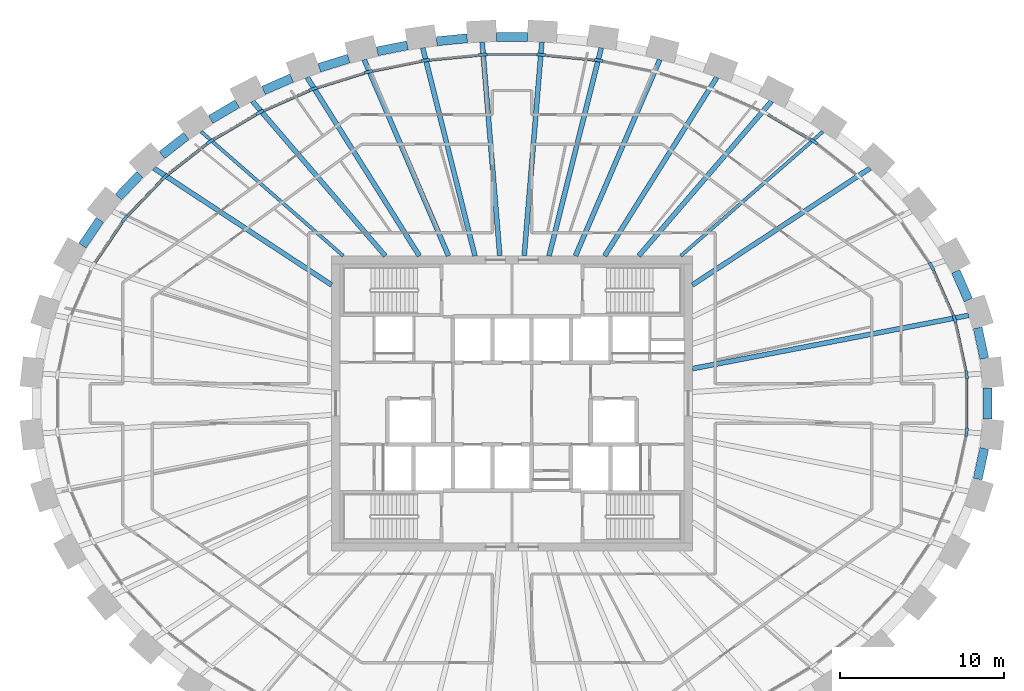
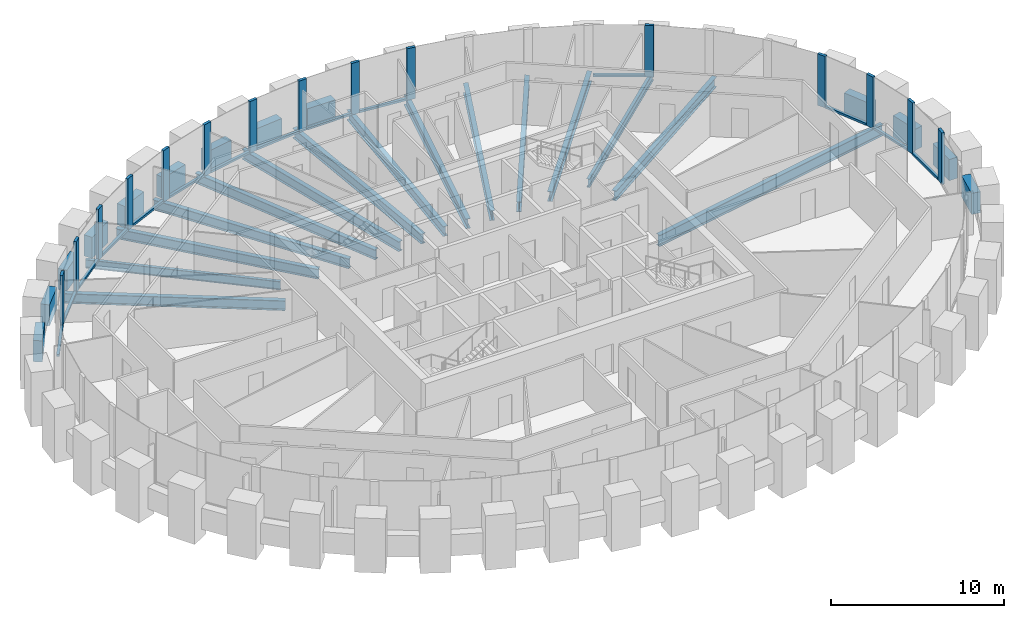
# One storey, part 3 of 11: 29 members, 28 beams, 1 element without a shape of its own.
"""IFC4 building model written with IfcOpenShell, lengths in metres."""

from ifc_helpers import new_model, si_unit, direction, frame, origin, origin_2d, place, context, subcontext, project, spatial, rectangle, i_section, extrude, source, transform, mapped, material, material_profile, profile_set, type_object, element, aggregate, save


model = new_model("IFC4")

# Units and contexts
model_context = context("Model", 3, precision=1e-05, world=origin(), true_north=direction((0.0, 1.0)))
body_context = subcontext(model_context, "Body", "Model", "MODEL_VIEW")
ifc_project = project(units=[si_unit("LENGTHUNIT", "METRE"), si_unit("AREAUNIT", "SQUARE_METRE"), si_unit("VOLUMEUNIT", "CUBIC_METRE"), si_unit("PLANEANGLEUNIT", "RADIAN"), si_unit("MASSUNIT", "GRAM", prefix="KILO")], contexts=[model_context])

# Site, building, storey
site_placement = place(None, origin())
site = spatial("IfcSite", under=ifc_project, at=site_placement, CompositionType="ELEMENT")
building_placement = place(site_placement, origin())
building = spatial("IfcBuilding", under=site, at=building_placement, Name="Embergate Tower", CompositionType="ELEMENT")
storey_placement = place(building_placement, frame((0.0, 0.0, 328.60009765625)))
storey = spatial("IfcBuildingStorey", under=building, at=storey_placement, Name="L77", CompositionType="ELEMENT", Elevation=328.60009765625)

# Beams
ifc_material_1 = material(Name="Concrete C50", Category="concrete")
ifc_material_profile_1 = material_profile(ifc_material_1, rectangle(XDim=0.550048828125, YDim=1.5, at=origin_2d()), Name="RC 550x1500")
ifc_profile_set_1 = profile_set([ifc_material_profile_1], Name="Concrete C50")
beam_type_1 = type_object("IfcBeamType", Name="Spandrel beam RC 550x1500 C50", PredefinedType="BEAM", material=ifc_profile_set_1)
shared_shape_1 = source(origin(), body_context, "Body", "SweptSolid", [
    extrude(rectangle(XDim=0.550048828125, YDim=1.5, at=origin_2d()), origin(), (0.0, 0.0, 1.0), 1.904541015625),
])
for number, where, z_axis, x_axis, name in (
    (1, (28.801025390625, 2.742919921875, 0.0), (-0.210098077345, 0.977680314774, 0.0), (-0.977680314774, -0.210098077345, 0.0), "SPN-L77-00"),
    (2, (28.40087890625, -4.60498046875, 0.0), (0.210098077345, 0.977680314774, 0.0), (-0.977680314774, 0.210098077345, 0.0), "SPN-L77-42"),
):
    element("IfcBeam", number, at=place(storey_placement, frame(where, z_axis=z_axis, x_axis=x_axis)), inside=storey, type_object=beam_type_1, Name=name, PredefinedType="BEAM", context=body_context, shape_type="MappedRepresentation", body=[
        mapped(shared_shape_1, transform((0.0, 0.0, 0.0))),
    ])
shared_shape_2 = source(origin(), body_context, "Body", "SweptSolid", [
    extrude(rectangle(XDim=0.550048828125, YDim=1.5, at=origin_2d()), origin(), (0.0, 0.0, 1.0), 1.897705078125),
])
beam_1_placement = place(storey_placement, frame((27.827880859375, 6.31103515625, 0.0), z_axis=(-0.401513845594, 0.915852953151, 0.0), x_axis=(-0.915852953151, -0.401513845594, 0.0)))
element("IfcBeam", 3, at=beam_1_placement, inside=storey, type_object=beam_type_1, Name="SPN-L77-01", PredefinedType="BEAM", context=body_context, shape_type="MappedRepresentation", body=[
    mapped(shared_shape_2, transform((0.0, 0.0, 0.0))),
])
shared_shape_3 = source(origin(), body_context, "Body", "SweptSolid", [
    extrude(rectangle(XDim=0.550048828125, YDim=1.5, at=origin_2d()), origin(), (0.0, 0.0, 1.0), 1.893798828125),
])
beam_2_placement = place(storey_placement, frame((-25.12890625, 11.18994140625, 0.0), z_axis=(-0.562440477268, -0.826837777034, 0.0), x_axis=(0.826837777034, -0.562440477268, 0.0)))
element("IfcBeam", 4, at=beam_2_placement, inside=storey, type_object=beam_type_1, Name="SPN-L77-18", PredefinedType="BEAM", context=body_context, shape_type="MappedRepresentation", body=[
    mapped(shared_shape_3, transform((0.0, 0.0, 0.0))),
])
shared_shape_4 = source(origin(), body_context, "Body", "SweptSolid", [
    extrude(rectangle(XDim=0.550048828125, YDim=1.5, at=origin_2d()), origin(), (0.0, 0.0, 1.0), 1.8876953125),
])
beam_3_placement = place(storey_placement, frame((-22.695068359375, 13.9560546875, 0.0), z_axis=(-0.69022655599, -0.723593325982, 0.0), x_axis=(0.723593325982, -0.69022655599, 0.0)))
element("IfcBeam", 5, at=beam_3_placement, inside=storey, type_object=beam_type_1, Name="SPN-L77-17", PredefinedType="BEAM", context=body_context, shape_type="MappedRepresentation", body=[
    mapped(shared_shape_4, transform((0.0, 0.0, 0.0))),
])
shared_shape_5 = source(origin(), body_context, "Body", "SweptSolid", [
    extrude(rectangle(XDim=0.550048828125, YDim=1.5, at=origin_2d()), origin(), (0.0, 0.0, 1.0), 1.88232421875),
])
beam_4_placement = place(storey_placement, frame((-19.864013671875, 16.30810546875, 0.0), z_axis=(-0.788303508782, -0.615286582043, 0.0), x_axis=(0.615286582043, -0.788303508782, 0.0)))
element("IfcBeam", 6, at=beam_4_placement, inside=storey, type_object=beam_type_1, Name="SPN-L77-16", PredefinedType="BEAM", context=body_context, shape_type="MappedRepresentation", body=[
    mapped(shared_shape_5, transform((0.0, 0.0, 0.0))),
])
shared_shape_6 = source(origin(), body_context, "Body", "SweptSolid", [
    extrude(rectangle(XDim=0.550048828125, YDim=1.5, at=origin_2d()), origin(), (0.0, 0.0, 1.0), 1.87939453125),
])
beam_5_placement = place(storey_placement, frame((-16.756103515625, 18.27294921875, 0.0), z_axis=(-0.861930875636, -0.507025803708, 0.0), x_axis=(0.507025803708, -0.861930875636, 0.0)))
element("IfcBeam", 7, at=beam_5_placement, inside=storey, type_object=beam_type_1, Name="SPN-L77-15", PredefinedType="BEAM", context=body_context, shape_type="MappedRepresentation", body=[
    mapped(shared_shape_6, transform((0.0, 0.0, 0.0))),
])
shared_shape_7 = source(origin(), body_context, "Body", "SweptSolid", [
    extrude(rectangle(XDim=0.550048828125, YDim=1.5, at=origin_2d()), origin(), (0.0, 0.0, 1.0), 1.876708984375),
])
beam_6_placement = place(storey_placement, frame((-13.43310546875, 19.842041015625, 0.0), z_axis=(-0.916452657221, -0.400143133231, 0.0), x_axis=(0.400143133231, -0.916452657221, 0.0)))
element("IfcBeam", 8, at=beam_6_placement, inside=storey, type_object=beam_type_1, Name="SPN-L77-14", PredefinedType="BEAM", context=body_context, shape_type="MappedRepresentation", body=[
    mapped(shared_shape_7, transform((0.0, 0.0, 0.0))),
])
shared_shape_8 = source(origin(), body_context, "Body", "SweptSolid", [
    extrude(rectangle(XDim=0.550048828125, YDim=1.5, at=origin_2d()), origin(), (0.0, 0.0, 1.0), 1.873779296875),
])
for number, where, z_axis, x_axis, name in (
    (9, (-6.376953125, 21.842041015625, 0.0), (-0.980404898084, -0.196992984173, 0.0), (0.196992984173, -0.980404898084, 0.0), "SPN-L77-12"),
    (10, (-9.9580078125, 21.028076171875, 0.0), (-0.954776255033, -0.297325247542, 0.0), (0.297325247542, -0.954776255033, 0.0), "SPN-L77-13"),
):
    element("IfcBeam", number, at=place(storey_placement, frame(where, z_axis=z_axis, x_axis=x_axis)), inside=storey, type_object=beam_type_1, Name=name, PredefinedType="BEAM", context=body_context, shape_type="MappedRepresentation", body=[
        mapped(shared_shape_8, transform((0.0, 0.0, 0.0))),
    ])
shared_shape_9 = source(origin(), body_context, "Body", "SweptSolid", [
    extrude(rectangle(XDim=0.550048828125, YDim=1.5, at=origin_2d()), origin(), (0.0, 0.0, 1.0), 1.87109375),
])
beam_7_placement = place(storey_placement, frame((-2.73193359375, 22.27099609375, 0.0), z_axis=(-0.995148946648, -0.098379743775, 0.0), x_axis=(0.098379743775, -0.995148946648, 0.0)))
element("IfcBeam", 11, at=beam_7_placement, inside=storey, type_object=beam_type_1, Name="SPN-L77-11", PredefinedType="BEAM", context=body_context, shape_type="MappedRepresentation", body=[
    mapped(shared_shape_9, transform((0.0, 0.0, 0.0))),
])
shared_shape_10 = source(origin(), body_context, "Body", "SweptSolid", [
    extrude(rectangle(XDim=0.550048828125, YDim=1.5, at=origin_2d()), origin(), (0.0, 0.0, 1.0), 1.8701171875),
])
beam_8_placement = place(storey_placement, frame((0.93505859375, 22.35888671875, 0.0), z_axis=(-1.0, 0.0, 0.0), x_axis=(0.0, -1.0, 0.0)))
element("IfcBeam", 12, at=beam_8_placement, inside=storey, type_object=beam_type_1, Name="SPN-L77-10", PredefinedType="BEAM", context=body_context, shape_type="MappedRepresentation", body=[
    mapped(shared_shape_10, transform((0.0, 0.0, 0.0))),
])
shared_shape_11 = source(origin(), body_context, "Body", "SweptSolid", [
    extrude(rectangle(XDim=0.550048828125, YDim=1.5, at=origin_2d()), origin(), (0.0, 0.0, 1.0), 1.90576171875),
])
beam_9_placement = place(storey_placement, frame((28.991943359375, -0.952880859375, 0.0), z_axis=(0.0, 1.0, 0.0), x_axis=(-1.0, 0.0, 0.0)))
element("IfcBeam", 13, at=beam_9_placement, inside=storey, type_object=beam_type_1, Name="SPN-L77-43", PredefinedType="BEAM", context=body_context, shape_type="MappedRepresentation", body=[
    mapped(shared_shape_11, transform((0.0, 0.0, 0.0))),
])
ifc_material_2 = material(Name="Steel Q355B", Category="steel")
ifc_material_profile_2 = material_profile(ifc_material_2, i_section(OverallWidth=0.300048828125, OverallDepth=0.800048828125, WebThickness=0.013916015625, FlangeThickness=0.02587890625, FilletRadius=0.028076171875, at=origin_2d()), Name="HN 800x300x14x26")
ifc_profile_set_2 = profile_set([ifc_material_profile_2], Name="Steel Q355 grade B")
beam_type_2 = type_object("IfcBeamType", Name="Radial girder HN 800x300x14x26", PredefinedType="BEAM", material=ifc_profile_set_2)
shared_shape_12 = source(origin(), body_context, "Body", "SweptSolid", [
    extrude(i_section(OverallWidth=0.300048828125, OverallDepth=0.800048828125, WebThickness=0.013916015625, FlangeThickness=0.02587890625, FilletRadius=0.028076171875, at=origin_2d()), origin(), (0.0, 0.0, 1.0), 17.162841796875),
])
beam_10_placement = place(storey_placement, frame((27.85205078125, 5.373046875, -0.60009765625), z_axis=(-0.981896091736, -0.189420339547, 0.0), x_axis=(0.189420339547, -0.981896091736, 0.0)))
element("IfcBeam", 14, at=beam_10_placement, inside=storey, type_object=beam_type_2, Name="GIR-L77-01", PredefinedType="BEAM", context=body_context, shape_type="MappedRepresentation", body=[
    mapped(shared_shape_12, transform((0.0, 0.0, 0.0))),
])
ifc_material_profile_3 = material_profile(ifc_material_2, i_section(OverallWidth=0.300048828125, OverallDepth=0.699951171875, WebThickness=0.012939453125, FlangeThickness=0.02392578125, FilletRadius=0.01806640625, at=origin_2d()), Name="HN 700x300x13x24")
ifc_profile_set_3 = profile_set([ifc_material_profile_3], Name="Steel Q355 grade B")
beam_type_3 = type_object("IfcBeamType", Name="Radial girder HN 700x300x13x24", PredefinedType="BEAM", material=ifc_profile_set_3)
shared_shape_13 = source(origin(), body_context, "Body", "SweptSolid", [
    extrude(i_section(OverallWidth=0.300048828125, OverallDepth=0.699951171875, WebThickness=0.012939453125, FlangeThickness=0.02392578125, FilletRadius=0.01806640625, at=origin_2d()), origin(), (0.0, 0.0, 1.0), 12.963134765625),
])
for number, where, z_axis, x_axis, name in (
    (15, (21.833984375, 14.344970703125, -0.550048828125), (-0.835760548257, -0.549094077529, 0.0), (0.549094077529, -0.835760548257, 0.0), "GIR-L77-04"),
    (16, (-21.833984375, 14.344970703125, -0.550048828125), (0.835760548257, -0.549094077529, 0.0), (0.549094077529, 0.835760548257, 0.0), "GIR-L77-17"),
):
    element("IfcBeam", number, at=place(storey_placement, frame(where, z_axis=z_axis, x_axis=x_axis)), inside=storey, type_object=beam_type_3, Name=name, PredefinedType="BEAM", context=body_context, shape_type="MappedRepresentation", body=[
        mapped(shared_shape_13, transform((0.0, 0.0, 0.0))),
    ])
ifc_material_profile_4 = material_profile(ifc_material_2, i_section(OverallWidth=0.199951171875, OverallDepth=0.60009765625, WebThickness=0.010986328125, FlangeThickness=0.01708984375, FilletRadius=0.012939453125, at=origin_2d()), Name="HN 600x200x11x17")
ifc_profile_set_4 = profile_set([ifc_material_profile_4], Name="Steel Q355 grade B")
beam_type_4 = type_object("IfcBeamType", Name="Radial girder HN 600x200x11x17", PredefinedType="BEAM", material=ifc_profile_set_4)
shared_shape_14 = source(origin(), body_context, "Body", "SweptSolid", [
    extrude(i_section(OverallWidth=0.199951171875, OverallDepth=0.60009765625, WebThickness=0.010986328125, FlangeThickness=0.01708984375, FilletRadius=0.012939453125, at=origin_2d()), origin(), (0.0, 0.0, 1.0), 11.52197265625),
])
for number, where, z_axis, x_axis, name in (
    (17, (18.965087890625, 16.5849609375, -0.5), (-0.752748620868, -0.658308069054, 0.0), (0.658308069054, -0.752748620868, 0.0), "GIR-L77-05"),
    (18, (-18.965087890625, 16.5849609375, -0.5), (0.752748620868, -0.658308069054, 0.0), (0.658308069054, 0.752748620868, 0.0), "GIR-L77-16"),
):
    element("IfcBeam", number, at=place(storey_placement, frame(where, z_axis=z_axis, x_axis=x_axis)), inside=storey, type_object=beam_type_4, Name=name, PredefinedType="BEAM", context=body_context, shape_type="MappedRepresentation", body=[
        mapped(shared_shape_14, transform((0.0, 0.0, 0.0))),
    ])
shared_shape_15 = source(origin(), body_context, "Body", "SweptSolid", [
    extrude(i_section(OverallWidth=0.300048828125, OverallDepth=0.699951171875, WebThickness=0.012939453125, FlangeThickness=0.02392578125, FilletRadius=0.01806640625, at=origin_2d()), origin(), (0.0, 0.0, 1.0), 12.43115234375),
])
for number, where, z_axis, x_axis, name in (
    (19, (15.826904296875, 18.430908203125, -0.550048828125), (-0.651497878896, -0.758650455608, 0.0), (0.758650455608, -0.651497878896, 0.0), "GIR-L77-06"),
    (20, (-15.826904296875, 18.430908203125, -0.550048828125), (0.651497878896, -0.758650455608, 0.0), (0.758650455608, 0.651497878896, 0.0), "GIR-L77-15"),
):
    element("IfcBeam", number, at=place(storey_placement, frame(where, z_axis=z_axis, x_axis=x_axis)), inside=storey, type_object=beam_type_3, Name=name, PredefinedType="BEAM", context=body_context, shape_type="MappedRepresentation", body=[
        mapped(shared_shape_15, transform((0.0, 0.0, 0.0))),
    ])
shared_shape_16 = source(origin(), body_context, "Body", "SweptSolid", [
    extrude(i_section(OverallWidth=0.300048828125, OverallDepth=0.699951171875, WebThickness=0.012939453125, FlangeThickness=0.02392578125, FilletRadius=0.01806640625, at=origin_2d()), origin(), (0.0, 0.0, 1.0), 12.8583984375),
])
for number, where, z_axis, x_axis, name in (
    (21, (12.490966796875, 19.888916015625, -0.550048828125), (-0.531859653709, -0.846832515174, 0.0), (0.846832515174, -0.531859653709, 0.0), "GIR-L77-07"),
    (22, (-12.490966796875, 19.888916015625, -0.550048828125), (0.531859653709, -0.846832515174, 0.0), (0.846832515174, 0.531859653709, 0.0), "GIR-L77-14"),
):
    element("IfcBeam", number, at=place(storey_placement, frame(where, z_axis=z_axis, x_axis=x_axis)), inside=storey, type_object=beam_type_3, Name=name, PredefinedType="BEAM", context=body_context, shape_type="MappedRepresentation", body=[
        mapped(shared_shape_16, transform((0.0, 0.0, 0.0))),
    ])
shared_shape_17 = source(origin(), body_context, "Body", "SweptSolid", [
    extrude(i_section(OverallWidth=0.300048828125, OverallDepth=0.699951171875, WebThickness=0.012939453125, FlangeThickness=0.02392578125, FilletRadius=0.01806640625, at=origin_2d()), origin(), (0.0, 0.0, 1.0), 13.0302734375),
])
for number, where, z_axis, x_axis, name in (
    (23, (9.014892578125, 20.970947265625, -0.550048828125), (-0.394929867162, -0.918711271305, 0.0), (0.918711271305, -0.394929867162, 0.0), "GIR-L77-08"),
    (24, (-9.014892578125, 20.970947265625, -0.550048828125), (0.394929867162, -0.918711271305, 0.0), (0.918711271305, 0.394929867162, 0.0), "GIR-L77-13"),
):
    element("IfcBeam", number, at=place(storey_placement, frame(where, z_axis=z_axis, x_axis=x_axis)), inside=storey, type_object=beam_type_3, Name=name, PredefinedType="BEAM", context=body_context, shape_type="MappedRepresentation", body=[
        mapped(shared_shape_17, transform((0.0, 0.0, 0.0))),
    ])
shared_shape_18 = source(origin(), body_context, "Body", "SweptSolid", [
    extrude(i_section(OverallWidth=0.300048828125, OverallDepth=0.699951171875, WebThickness=0.012939453125, FlangeThickness=0.02392578125, FilletRadius=0.01806640625, at=origin_2d()), origin(), (0.0, 0.0, 1.0), 13.080810546875),
])
for number, where, z_axis, x_axis, name in (
    (25, (5.444091796875, 21.68701171875, -0.550048828125), (-0.243492869498, -0.969902687131, 0.0), (0.969902687131, -0.243492869498, 0.0), "GIR-L77-09"),
    (26, (-5.444091796875, 21.68701171875, -0.550048828125), (0.243492869498, -0.969902687131, 0.0), (0.969902687131, 0.243492869498, 0.0), "GIR-L77-12"),
):
    element("IfcBeam", number, at=place(storey_placement, frame(where, z_axis=z_axis, x_axis=x_axis)), inside=storey, type_object=beam_type_3, Name=name, PredefinedType="BEAM", context=body_context, shape_type="MappedRepresentation", body=[
        mapped(shared_shape_18, transform((0.0, 0.0, 0.0))),
    ])
shared_shape_19 = source(origin(), body_context, "Body", "SweptSolid", [
    extrude(i_section(OverallWidth=0.300048828125, OverallDepth=0.699951171875, WebThickness=0.012939453125, FlangeThickness=0.02392578125, FilletRadius=0.01806640625, at=origin_2d()), origin(), (0.0, 0.0, 1.0), 13.08837890625),
])
for number, where, z_axis, x_axis, name in (
    (27, (1.820068359375, 22.0439453125, -0.550048828125), (-0.082298295943, -0.996607741534, 0.0), (0.996607741534, -0.082298295943, 0.0), "GIR-L77-10"),
    (28, (-1.820068359375, 22.0439453125, -0.550048828125), (0.082298295943, -0.996607741534, 0.0), (0.996607741534, 0.082298295943, 0.0), "GIR-L77-11"),
):
    element("IfcBeam", number, at=place(storey_placement, frame(where, z_axis=z_axis, x_axis=x_axis)), inside=storey, type_object=beam_type_3, Name=name, PredefinedType="BEAM", context=body_context, shape_type="MappedRepresentation", body=[
        mapped(shared_shape_19, transform((0.0, 0.0, 0.0))),
    ])

# Curtain wall, members
ifc_material_3 = material(Name="Aluminium and glass", Category="aluminium")
curtain_wall_type = type_object("IfcCurtainWallType", Name="Recessed office glazing", PredefinedType="NOTDEFINED", material=ifc_material_3)
curtain_wall_placement = place(storey_placement, origin())
curtain_wall = element("IfcCurtainWall", 29, at=curtain_wall_placement, inside=storey, type_object=curtain_wall_type, Name="Recessed office glazing ring", ObjectType="RECESSED OFFICE GLAZING", PredefinedType="USERDEFINED")
ifc_material_4 = material(Name="Aluminium, thermally broken", Category="aluminium")
ifc_material_profile_5 = material_profile(ifc_material_4, rectangle(XDim=0.179931640625, YDim=0.52001953125, at=origin_2d()), Name="AL 520x180")
ifc_profile_set_5 = profile_set([ifc_material_profile_5], Name="Aluminium, thermally broken")
member_type_1 = type_object("IfcMemberType", Name="Office mullion", PredefinedType="MULLION", material=ifc_profile_set_5)
shared_shape_20 = source(origin(), body_context, "Body", "SweptSolid", [
    extrude(rectangle(XDim=0.179931640625, YDim=0.52001953125, at=origin_2d()), origin(), (0.0, 0.0, 1.0), 3.64990234375),
])
member_1_placement = place(storey_placement, frame((27.7265625, 1.744384765625, 0.0), z_axis=(0.0, 0.0, 1.0), x_axis=(-0.994383846503, -0.105833670514, 0.0)))
member_1 = element("IfcMember", 30, at=member_1_placement, type_object=member_type_1, Name="CW mullion 1", PredefinedType="MULLION", context=body_context, shape_type="MappedRepresentation", body=[
    mapped(shared_shape_20, transform((0.0, 0.0, 0.0))),
])
member_2_placement = place(storey_placement, frame((26.991943359375, 5.157470703125, 0.0), z_axis=(0.0, 0.0, 1.0), x_axis=(-0.951489743263, -0.307680464875, 0.0)))
member_2 = element("IfcMember", 31, at=member_2_placement, type_object=member_type_1, Name="CW mullion 2", PredefinedType="MULLION", context=body_context, shape_type="MappedRepresentation", body=[
    mapped(shared_shape_20, transform((0.0, 0.0, 0.0))),
])
member_3_placement = place(storey_placement, frame((25.5869140625, 8.360595703125, 0.0), z_axis=(0.0, 0.0, 1.0), x_axis=(-0.874987531332, -0.484145453364, 0.0)))
member_3 = element("IfcMember", 32, at=member_3_placement, type_object=member_type_1, Name="CW mullion 3", PredefinedType="MULLION", context=body_context, shape_type="MappedRepresentation", body=[
    mapped(shared_shape_20, transform((0.0, 0.0, 0.0))),
])
member_4_placement = place(storey_placement, frame((18.4130859375, 15.970703125, 0.0), z_axis=(0.0, 0.0, 1.0), x_axis=(-0.562204628156, -0.826998159659, 0.0)))
member_4 = element("IfcMember", 33, at=member_4_placement, type_object=member_type_1, Name="CW mullion 6", PredefinedType="MULLION", context=body_context, shape_type="MappedRepresentation", body=[
    mapped(shared_shape_20, transform((0.0, 0.0, 0.0))),
])
member_5_placement = place(storey_placement, frame((5.29150390625, 20.920654296875, 0.0), z_axis=(0.0, 0.0, 1.0), x_axis=(-0.147408930294, -0.989075632735, 0.0)))
member_5 = element("IfcMember", 34, at=member_5_placement, type_object=member_type_1, Name="CW mullion 10", PredefinedType="MULLION", context=body_context, shape_type="MappedRepresentation", body=[
    mapped(shared_shape_20, transform((0.0, 0.0, 0.0))),
])
member_6_placement = place(storey_placement, frame((1.76953125, 21.266845703125, 0.0), z_axis=(0.0, 0.0, 1.0), x_axis=(-0.048970053385, -0.998800247232, 0.0)))
member_6 = element("IfcMember", 35, at=member_6_placement, type_object=member_type_1, Name="CW mullion 11", PredefinedType="MULLION", context=body_context, shape_type="MappedRepresentation", body=[
    mapped(shared_shape_20, transform((0.0, 0.0, 0.0))),
])
member_7_placement = place(storey_placement, frame((-1.76953125, 21.266845703125, 0.0), z_axis=(0.0, 0.0, 1.0), x_axis=(0.048970053385, -0.998800247232, 0.0)))
member_7 = element("IfcMember", 36, at=member_7_placement, type_object=member_type_1, Name="CW mullion 12", PredefinedType="MULLION", context=body_context, shape_type="MappedRepresentation", body=[
    mapped(shared_shape_20, transform((0.0, 0.0, 0.0))),
])
member_8_placement = place(storey_placement, frame((-5.29150390625, 20.920654296875, 0.0), z_axis=(0.0, 0.0, 1.0), x_axis=(0.147408930294, -0.989075632735, 0.0)))
member_8 = element("IfcMember", 37, at=member_8_placement, type_object=member_type_1, Name="CW mullion 13", PredefinedType="MULLION", context=body_context, shape_type="MappedRepresentation", body=[
    mapped(shared_shape_20, transform((0.0, 0.0, 0.0))),
])
member_9_placement = place(storey_placement, frame((-8.760009765625, 20.22509765625, 0.0), z_axis=(0.0, 0.0, 1.0), x_axis=(0.24730680803, -0.968937223303, 0.0)))
member_9 = element("IfcMember", 38, at=member_9_placement, type_object=member_type_1, Name="CW mullion 14", PredefinedType="MULLION", context=body_context, shape_type="MappedRepresentation", body=[
    mapped(shared_shape_20, transform((0.0, 0.0, 0.0))),
])
member_10_placement = place(storey_placement, frame((-12.135498046875, 19.173583984375, 0.0), z_axis=(0.0, 0.0, 1.0), x_axis=(0.349496141799, -0.936937803094, 0.0)))
member_10 = element("IfcMember", 39, at=member_10_placement, type_object=member_type_1, Name="CW mullion 15", PredefinedType="MULLION", context=body_context, shape_type="MappedRepresentation", body=[
    mapped(shared_shape_20, transform((0.0, 0.0, 0.0))),
])
member_11_placement = place(storey_placement, frame((-15.371826171875, 17.758544921875, 0.0), z_axis=(0.0, 0.0, 1.0), x_axis=(0.454502052684, -0.890745689917, 0.0)))
member_11 = element("IfcMember", 40, at=member_11_placement, type_object=member_type_1, Name="CW mullion 16", PredefinedType="MULLION", context=body_context, shape_type="MappedRepresentation", body=[
    mapped(shared_shape_20, transform((0.0, 0.0, 0.0))),
])
member_12_placement = place(storey_placement, frame((-18.4130859375, 15.970703125, 0.0), z_axis=(0.0, 0.0, 1.0), x_axis=(0.562204628156, -0.826998159659, 0.0)))
member_12 = element("IfcMember", 41, at=member_12_placement, type_object=member_type_1, Name="CW mullion 17", PredefinedType="MULLION", context=body_context, shape_type="MappedRepresentation", body=[
    mapped(shared_shape_20, transform((0.0, 0.0, 0.0))),
])
member_13_placement = place(storey_placement, frame((-21.189453125, 13.8037109375, 0.0), z_axis=(0.0, 0.0, 1.0), x_axis=(0.671212302811, -0.741265164807, 0.0)))
member_13 = element("IfcMember", 42, at=member_13_placement, type_object=member_type_1, Name="CW mullion 18", PredefinedType="MULLION", context=body_context, shape_type="MappedRepresentation", body=[
    mapped(shared_shape_20, transform((0.0, 0.0, 0.0))),
])
member_14_placement = place(storey_placement, frame((-23.615234375, 11.260009765625, 0.0), z_axis=(0.0, 0.0, 1.0), x_axis=(0.777856112038, -0.628442414996, 0.0)))
member_14 = element("IfcMember", 43, at=member_14_placement, type_object=member_type_1, Name="CW mullion 19", PredefinedType="MULLION", context=body_context, shape_type="MappedRepresentation", body=[
    mapped(shared_shape_20, transform((0.0, 0.0, 0.0))),
])
member_15_placement = place(storey_placement, frame((27.7265625, -1.744384765625, 0.0), z_axis=(0.0, 0.0, 1.0), x_axis=(-0.994383846503, 0.105833670514, 0.0)))
member_15 = element("IfcMember", 44, at=member_15_placement, type_object=member_type_1, Name="CW mullion 44", PredefinedType="MULLION", context=body_context, shape_type="MappedRepresentation", body=[
    mapped(shared_shape_20, transform((0.0, 0.0, 0.0))),
])
ifc_material_profile_6 = material_profile(ifc_material_4, rectangle(XDim=0.179931640625, YDim=0.14990234375, at=origin_2d()), Name="AL 150x180")
ifc_profile_set_6 = profile_set([ifc_material_profile_6], Name="Aluminium, thermally broken")
member_type_2 = type_object("IfcMemberType", Name="Office sill transom", PredefinedType="USERDEFINED", material=ifc_profile_set_6)
shared_shape_21 = source(origin(), body_context, "Body", "SweptSolid", [
    extrude(rectangle(XDim=0.179931640625, YDim=0.14990234375, at=origin_2d()), origin(), (0.0, 0.0, 1.0), 2.971435546875),
])
member_16_placement = place(storey_placement, frame((27.671875, 1.99853515625, 0.074951171875), z_axis=(-0.210426812924, 0.977609613498, 0.0), x_axis=(-0.977609613498, -0.210426812924, 0.0)))
member_16 = element("IfcMember", 45, at=member_16_placement, type_object=member_type_2, Name="CW transom 1.1", ObjectType="TRANSOM", PredefinedType="USERDEFINED", context=body_context, shape_type="MappedRepresentation", body=[
    mapped(shared_shape_21, transform((0.0, 0.0, 0.0))),
])
shared_shape_22 = source(origin(), body_context, "Body", "SweptSolid", [
    extrude(rectangle(XDim=0.179931640625, YDim=0.14990234375, at=origin_2d()), origin(), (0.0, 0.0, 1.0), 2.977783203125),
])
member_17_placement = place(storey_placement, frame((26.887451171875, 5.3955078125, 0.074951171875), z_axis=(-0.401653050899, 0.915791912338, 0.0), x_axis=(-0.915791912338, -0.401653050899, 0.0)))
member_17 = element("IfcMember", 46, at=member_17_placement, type_object=member_type_2, Name="CW transom 2.1", ObjectType="TRANSOM", PredefinedType="USERDEFINED", context=body_context, shape_type="MappedRepresentation", body=[
    mapped(shared_shape_22, transform((0.0, 0.0, 0.0))),
])
shared_shape_23 = source(origin(), body_context, "Body", "SweptSolid", [
    extrude(rectangle(XDim=0.179931640625, YDim=0.14990234375, at=origin_2d()), origin(), (0.0, 0.0, 1.0), 2.986328125),
])
member_18_placement = place(storey_placement, frame((-23.761474609375, 11.045166015625, 0.074951171875), z_axis=(-0.562354741313, -0.826896090766, 0.0), x_axis=(0.826896090766, -0.562354741313, 0.0)))
member_18 = element("IfcMember", 47, at=member_18_placement, type_object=member_type_2, Name="CW transom 19.1", ObjectType="TRANSOM", PredefinedType="USERDEFINED", context=body_context, shape_type="MappedRepresentation", body=[
    mapped(shared_shape_23, transform((0.0, 0.0, 0.0))),
])
shared_shape_24 = source(origin(), body_context, "Body", "SweptSolid", [
    extrude(rectangle(XDim=0.179931640625, YDim=0.14990234375, at=origin_2d()), origin(), (0.0, 0.0, 1.0), 2.994873046875),
])
member_19_placement = place(storey_placement, frame((-21.368896484375, 13.615478515625, 0.074951171875), z_axis=(-0.690155764785, -0.723660846208, 0.0), x_axis=(0.723660846208, -0.690155764785, 0.0)))
member_19 = element("IfcMember", 48, at=member_19_placement, type_object=member_type_2, Name="CW transom 18.1", ObjectType="TRANSOM", PredefinedType="USERDEFINED", context=body_context, shape_type="MappedRepresentation", body=[
    mapped(shared_shape_24, transform((0.0, 0.0, 0.0))),
])
shared_shape_25 = source(origin(), body_context, "Body", "SweptSolid", [
    extrude(rectangle(XDim=0.179931640625, YDim=0.14990234375, at=origin_2d()), origin(), (0.0, 0.0, 1.0), 3.002197265625),
])
member_20_placement = place(storey_placement, frame((-18.617919921875, 15.810791015625, 0.074951171875), z_axis=(-0.788317707507, -0.615268390241, 0.0), x_axis=(0.615268390241, -0.788317707507, 0.0)))
member_20 = element("IfcMember", 49, at=member_20_placement, type_object=member_type_2, Name="CW transom 17.1", ObjectType="TRANSOM", PredefinedType="USERDEFINED", context=body_context, shape_type="MappedRepresentation", body=[
    mapped(shared_shape_25, transform((0.0, 0.0, 0.0))),
])
shared_shape_26 = source(origin(), body_context, "Body", "SweptSolid", [
    extrude(rectangle(XDim=0.179931640625, YDim=0.14990234375, at=origin_2d()), origin(), (0.0, 0.0, 1.0), 3.0078125),
])
member_21_placement = place(storey_placement, frame((18.18896484375, 16.102294921875, 0.074951171875), z_axis=(-0.862063551855, 0.50680018998, 0.0), x_axis=(-0.50680018998, -0.862063551855, 0.0)))
member_21 = element("IfcMember", 50, at=member_21_placement, type_object=member_type_2, Name="CW transom 6.1", ObjectType="TRANSOM", PredefinedType="USERDEFINED", context=body_context, shape_type="MappedRepresentation", body=[
    mapped(shared_shape_26, transform((0.0, 0.0, 0.0))),
])
member_22_placement = place(storey_placement, frame((-15.595947265625, 17.626708984375, 0.074951171875), z_axis=(-0.862063551855, -0.50680018998, 0.0), x_axis=(0.50680018998, -0.862063551855, 0.0)))
member_22 = element("IfcMember", 51, at=member_22_placement, type_object=member_type_2, Name="CW transom 16.1", ObjectType="TRANSOM", PredefinedType="USERDEFINED", context=body_context, shape_type="MappedRepresentation", body=[
    mapped(shared_shape_26, transform((0.0, 0.0, 0.0))),
])
shared_shape_27 = source(origin(), body_context, "Body", "SweptSolid", [
    extrude(rectangle(XDim=0.179931640625, YDim=0.14990234375, at=origin_2d()), origin(), (0.0, 0.0, 1.0), 3.01220703125),
])
member_23_placement = place(storey_placement, frame((-12.373779296875, 19.069580078125, 0.074951171875), z_axis=(-0.91624473838, -0.400618995295, 0.0), x_axis=(0.400618995295, -0.91624473838, 0.0)))
member_23 = element("IfcMember", 52, at=member_23_placement, type_object=member_type_2, Name="CW transom 15.1", ObjectType="TRANSOM", PredefinedType="USERDEFINED", context=body_context, shape_type="MappedRepresentation", body=[
    mapped(shared_shape_27, transform((0.0, 0.0, 0.0))),
])
shared_shape_28 = source(origin(), body_context, "Body", "SweptSolid", [
    extrude(rectangle(XDim=0.179931640625, YDim=0.14990234375, at=origin_2d()), origin(), (0.0, 0.0, 1.0), 3.01513671875),
])
member_24_placement = place(storey_placement, frame((-9.00830078125, 20.147705078125, 0.074951171875), z_axis=(-0.95477916578, -0.297315900335, 0.0), x_axis=(0.297315900335, -0.95477916578, 0.0)))
member_24 = element("IfcMember", 53, at=member_24_placement, type_object=member_type_2, Name="CW transom 14.1", ObjectType="TRANSOM", PredefinedType="USERDEFINED", context=body_context, shape_type="MappedRepresentation", body=[
    mapped(shared_shape_28, transform((0.0, 0.0, 0.0))),
])
shared_shape_29 = source(origin(), body_context, "Body", "SweptSolid", [
    extrude(rectangle(XDim=0.179931640625, YDim=0.14990234375, at=origin_2d()), origin(), (0.0, 0.0, 1.0), 3.017578125),
])
member_25_placement = place(storey_placement, frame((-5.54638671875, 20.869384765625, 0.074951171875), z_axis=(-0.980484093773, -0.196598427912, 0.0), x_axis=(0.196598427912, -0.980484093773, 0.0)))
member_25 = element("IfcMember", 54, at=member_25_placement, type_object=member_type_2, Name="CW transom 13.1", ObjectType="TRANSOM", PredefinedType="USERDEFINED", context=body_context, shape_type="MappedRepresentation", body=[
    mapped(shared_shape_29, transform((0.0, 0.0, 0.0))),
])
shared_shape_30 = source(origin(), body_context, "Body", "SweptSolid", [
    extrude(rectangle(XDim=0.179931640625, YDim=0.14990234375, at=origin_2d()), origin(), (0.0, 0.0, 1.0), 3.018798828125),
])
member_26_placement = place(storey_placement, frame((5.03271484375, 20.946044921875, 0.074951171875), z_axis=(-0.995200768262, 0.097854130473, 0.0), x_axis=(-0.097854130473, -0.995200768262, 0.0)))
member_26 = element("IfcMember", 55, at=member_26_placement, type_object=member_type_2, Name="CW transom 10.1", ObjectType="TRANSOM", PredefinedType="USERDEFINED", context=body_context, shape_type="MappedRepresentation", body=[
    mapped(shared_shape_30, transform((0.0, 0.0, 0.0))),
])
member_27_placement = place(storey_placement, frame((-2.0283203125, 21.241455078125, 0.074951171875), z_axis=(-0.995200768262, -0.097854130473, 0.0), x_axis=(0.097854130473, -0.995200768262, 0.0)))
member_27 = element("IfcMember", 56, at=member_27_placement, type_object=member_type_2, Name="CW transom 12.1", ObjectType="TRANSOM", PredefinedType="USERDEFINED", context=body_context, shape_type="MappedRepresentation", body=[
    mapped(shared_shape_30, transform((0.0, 0.0, 0.0))),
])
shared_shape_31 = source(origin(), body_context, "Body", "SweptSolid", [
    extrude(rectangle(XDim=0.179931640625, YDim=0.14990234375, at=origin_2d()), origin(), (0.0, 0.0, 1.0), 3.01904296875),
])
member_28_placement = place(storey_placement, frame((1.509521484375, 21.266845703125, 0.074951171875), z_axis=(-1.0, 0.0, 0.0), x_axis=(0.0, -1.0, 0.0)))
member_28 = element("IfcMember", 57, at=member_28_placement, type_object=member_type_2, Name="CW transom 11.1", ObjectType="TRANSOM", PredefinedType="USERDEFINED", context=body_context, shape_type="MappedRepresentation", body=[
    mapped(shared_shape_31, transform((0.0, 0.0, 0.0))),
])
shared_shape_32 = source(origin(), body_context, "Body", "SweptSolid", [
    extrude(rectangle(XDim=0.179931640625, YDim=0.14990234375, at=origin_2d()), origin(), (0.0, 0.0, 1.0), 2.96875),
])
member_29_placement = place(storey_placement, frame((27.7265625, -1.484375, 0.074951171875), z_axis=(0.0, 1.0, 0.0), x_axis=(-1.0, 0.0, 0.0)))
member_29 = element("IfcMember", 58, at=member_29_placement, type_object=member_type_2, Name="CW transom 44.1", ObjectType="TRANSOM", PredefinedType="USERDEFINED", context=body_context, shape_type="MappedRepresentation", body=[
    mapped(shared_shape_32, transform((0.0, 0.0, 0.0))),
])
aggregate(curtain_wall, [member_1, member_2, member_3, member_4, member_5, member_6, member_7, member_8, member_9, member_10, member_11, member_12, member_13, member_14, member_15, member_16, member_17, member_21, member_26, member_28, member_27, member_25, member_24, member_23, member_22, member_20, member_19, member_18, member_29])

save(model, "model.ifc")
